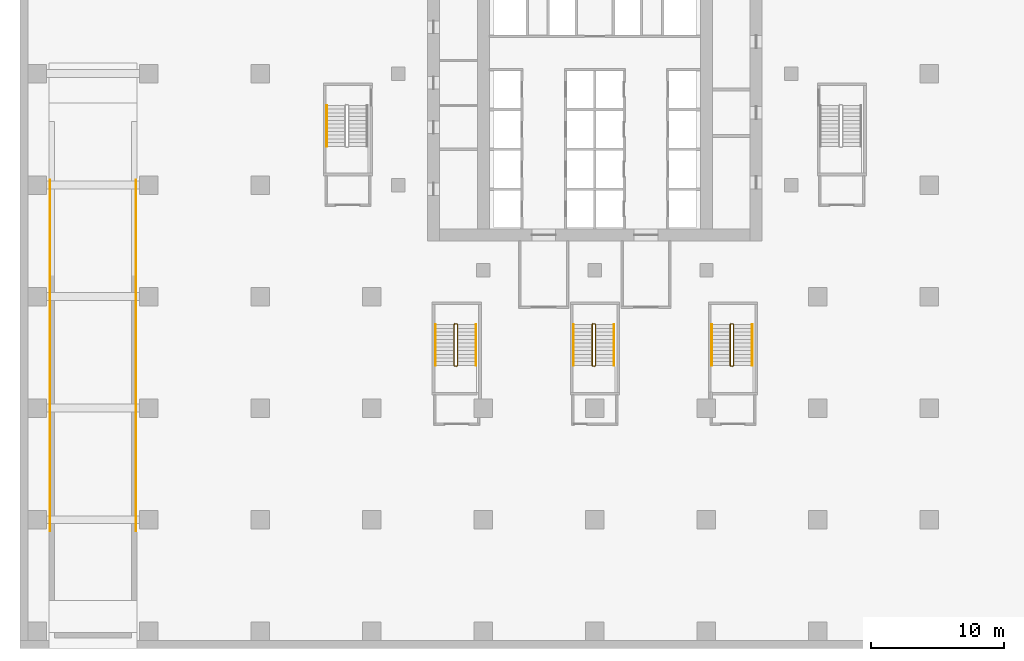
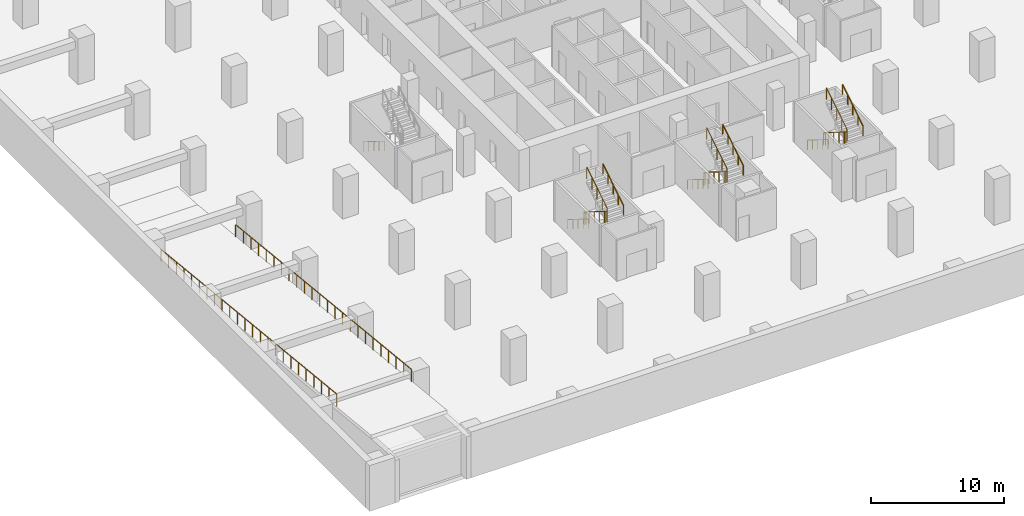
# One storey, part 13 of 17: 12 railings.
"""IFC4 building model written with IfcOpenShell, lengths in metres."""

import ifcopenshell
import ifcopenshell.guid

model = None  # the IFC model being written
_history = None  # IfcOwnerHistory: only IFC2X3 demands one
_inside = {}  # id of a spatial element -> (the spatial element, [elements in it])
_under = {}  # id of a project, library or spatial element -> (it, [spatial elements below it])
_declared = {}  # id of a project -> (the project, [libraries it declares])
_typed = {}  # id of a type object -> (the type object, [elements of that type])
_made_of = {}  # id of a material, layer set ... -> (it, [elements and type objects made of it])


def new_model(schema):
    """Start an empty IFC model of exactly this schema.

    Asked for "IFC4X3", IfcOpenShell would pick the latest addendum, in which some entities
    have other attributes; the version numbers below select the first issue.
    IFC2X3 requires an IfcOwnerHistory on every rooted entity: one is made here for all.
    """
    global model, _history
    if schema == "IFC4X3":
        model = ifcopenshell.file(schema_version=(4, 3, 0, 0))
    else:
        model = ifcopenshell.file(schema=schema)
    _inside.clear()
    _under.clear()
    _declared.clear()
    _typed.clear()
    _made_of.clear()
    _history = None
    if model.schema == "IFC2X3":
        org = make("IfcOrganization", Name="unknown")
        user = make(
            "IfcPersonAndOrganization",
            ThePerson=make("IfcPerson", FamilyName="unknown"),
            TheOrganization=org,
        )
        app = make(
            "IfcApplication",
            ApplicationDeveloper=org,
            Version="unknown",
            ApplicationFullName="unknown",
            ApplicationIdentifier="unknown",
        )
        _history = make(
            "IfcOwnerHistory",
            OwningUser=user,
            OwningApplication=app,
            ChangeAction="ADDED",
            CreationDate=0,
        )
    return model


def make(cls, **values):
    """One entity of the class cls with the attributes given. An attribute that is None is left unset."""
    return model.create_entity(
        cls, **{name: value for name, value in values.items() if value is not None}
    )


def rooted(cls, **values):
    """An entity with a GlobalId (a new one), such as an element, a storey or a relation."""
    return make(cls, GlobalId=ifcopenshell.guid.new(), OwnerHistory=_history, **values)


def si_unit(unit_type, name, prefix=None):
    """IfcSIUnit, for example si_unit("LENGTHUNIT", "METRE", prefix="MILLI")."""
    return make("IfcSIUnit", UnitType=unit_type, Prefix=prefix, Name=name)


def assignment(units):
    """IfcUnitAssignment: the units of a project."""
    return None if units is None else make("IfcUnitAssignment", Units=units)


def point(xyz):
    """IfcCartesianPoint."""
    return None if xyz is None else make("IfcCartesianPoint", Coordinates=xyz)


def direction(xyz):
    """IfcDirection."""
    return None if xyz is None else make("IfcDirection", DirectionRatios=xyz)


def frame(location, z_axis=None, x_axis=None):
    """IfcAxis2Placement3D, a coordinate frame: its origin and axes. An axis left out is left unset."""
    return make(
        "IfcAxis2Placement3D",
        Location=point(location),
        Axis=direction(z_axis),
        RefDirection=direction(x_axis),
    )


def frame_2d(location, x_axis=None):
    """IfcAxis2Placement2D, a coordinate frame in the plane: its origin and x axis."""
    return make(
        "IfcAxis2Placement2D", Location=point(location), RefDirection=direction(x_axis)
    )


def origin():
    """The frame at (0, 0, 0) with its axes left unset."""
    return frame((0.0, 0.0, 0.0))


def origin_2d():
    """The frame at (0, 0) in the plane with its x axis left unset."""
    return frame_2d((0.0, 0.0))


def place(relative_to, where):
    """IfcLocalPlacement: puts the frame where relative to a parent placement (None: the world)."""
    return make(
        "IfcLocalPlacement", PlacementRelTo=relative_to, RelativePlacement=where
    )


def context(
    kind, dimensions, precision=None, world=None, true_north=None, identifier=None
):
    """IfcGeometricRepresentationContext, for example the 3D "Model" context."""
    return make(
        "IfcGeometricRepresentationContext",
        ContextIdentifier=identifier,
        ContextType=kind,
        CoordinateSpaceDimension=dimensions,
        Precision=precision,
        WorldCoordinateSystem=world,
        TrueNorth=true_north,
    )


def subcontext(parent, identifier, kind, view, scale=None):
    """IfcGeometricRepresentationSubContext, for example "Body" below "Model"."""
    return make(
        "IfcGeometricRepresentationSubContext",
        ContextIdentifier=identifier,
        ContextType=kind,
        ParentContext=parent,
        TargetScale=scale,
        TargetView=view,
    )


def project(units=None, contexts=None):
    """IfcProject with its units and contexts."""
    return rooted(
        "IfcProject",
        Name="project",
        RepresentationContexts=contexts,
        UnitsInContext=assignment(units),
    )


def spatial(cls, under=None, at=None, **own):
    """A site, building, storey or space (cls), placed at a placement, below another one or the project."""
    s = rooted(cls, ObjectPlacement=at, **own)
    if under is not None:
        _under.setdefault(under.id(), (under, []))[1].append(s)
    return s


def profile(cls, at=None, kind="AREA", **sizes):
    """A parametric profile (cls). Its sizes go by their IFC names, for example OverallWidth=200.0."""
    return make(cls, ProfileType=kind, Position=at, **sizes)


def rectangle(**sizes):
    """IfcRectangleProfileDef."""
    return profile("IfcRectangleProfileDef", **sizes)


def extrude(swept, where, along, depth):
    """IfcExtrudedAreaSolid: the profile swept, set in the frame where, extruded along a direction by depth."""
    return make(
        "IfcExtrudedAreaSolid",
        SweptArea=swept,
        Position=where,
        ExtrudedDirection=direction(along),
        Depth=depth,
    )


def shape(context_of_items, identifier, shape_type, items):
    """IfcShapeRepresentation: the items that make up one representation, for example the "Body"."""
    return make(
        "IfcShapeRepresentation",
        ContextOfItems=context_of_items,
        RepresentationIdentifier=identifier,
        RepresentationType=shape_type,
        Items=items,
    )


def material(Name=None, Category=None):
    """IfcMaterial."""
    return make("IfcMaterial", Name=Name, Category=Category)


def made_of(thing, what):
    """Note that an element or type object is made of a material, layer set ...; save() writes the relation."""
    if what is not None:
        _made_of.setdefault(what.id(), (what, []))[1].append(thing)
    return thing


def type_object(cls, material=None, **own):
    """A type object (cls), such as IfcWallType, which elements share."""
    return made_of(rooted(cls, **own), material)


def element(
    cls,
    number,
    at=None,
    inside=None,
    cuts=None,
    type_object=None,
    material=None,
    context=None,
    identifier="Body",
    shape_type=None,
    held_by="IfcProductDefinitionShape",
    body=None,
    shapes=None,
    **own,
):
    """One element of the class cls, such as IfcWall. Its Tag is "e" and its number.

    at: its placement. inside: the storey or other place that contains it. cuts: it is an
    opening in that element (IfcRelVoidsElement). A single representation is given by context,
    identifier, shape_type and body (its items); several are given by shapes. held_by: the class
    of the entity that holds the representations. save() writes the other relations.
    """
    e = rooted(cls, Tag="e%d" % number, ObjectPlacement=at, **own)
    if body is not None:
        shapes = [shape(context, identifier, shape_type, body)]
    if shapes is not None:
        e.Representation = make(held_by, Representations=shapes)
    if inside is not None:
        _inside.setdefault(inside.id(), (inside, []))[1].append(e)
    if cuts is not None:
        rooted(
            "IfcRelVoidsElement", RelatingBuildingElement=cuts, RelatedOpeningElement=e
        )
    if type_object is not None:
        _typed.setdefault(type_object.id(), (type_object, []))[1].append(e)
    return made_of(e, material)


def aggregate(whole, parts):
    """IfcRelAggregates: a whole, such as a stair, and the parts it consists of."""
    return rooted("IfcRelAggregates", RelatingObject=whole, RelatedObjects=parts)


def save(model, path):
    """Write the relations noted so far, then the file.

    IfcRelAggregates (storeys below a building ...), IfcRelContainedInSpatialStructure (elements
    in a storey), IfcRelDefinesByType, IfcRelAssociatesMaterial and IfcRelDeclares: one each for
    every whole, place, type object, material and project.
    """
    for whole, parts in _under.values():
        aggregate(whole, parts)
    for where, things in _inside.values():
        rooted(
            "IfcRelContainedInSpatialStructure",
            RelatedElements=things,
            RelatingStructure=where,
        )
    for kind, things in _typed.values():
        rooted("IfcRelDefinesByType", RelatedObjects=things, RelatingType=kind)
    for what, things in _made_of.values():
        rooted("IfcRelAssociatesMaterial", RelatedObjects=things, RelatingMaterial=what)
    for by, libraries in _declared.values():
        rooted("IfcRelDeclares", RelatingContext=by, RelatedDefinitions=libraries)
    model.write(path)


model = new_model("IFC4")

# Units and contexts
model_context = context("Model", 3, precision=1e-05, world=origin(), true_north=direction((0.0, 1.0)))
body_context = subcontext(model_context, "Body", "Model", "MODEL_VIEW")
ifc_project = project(units=[si_unit("LENGTHUNIT", "METRE"), si_unit("AREAUNIT", "SQUARE_METRE"), si_unit("VOLUMEUNIT", "CUBIC_METRE"), si_unit("PLANEANGLEUNIT", "RADIAN"), si_unit("MASSUNIT", "GRAM", prefix="KILO")], contexts=[model_context])

# Site, building, storey
site_placement = place(None, origin())
site = spatial("IfcSite", under=ifc_project, at=site_placement, CompositionType="ELEMENT")
building_placement = place(site_placement, origin())
building = spatial("IfcBuilding", under=site, at=building_placement, Name="Vermilion Ogive Tower", CompositionType="ELEMENT")
storey_placement = place(building_placement, frame((0.0, 0.0, -4.199951171875)))
storey = spatial("IfcBuildingStorey", under=building, at=storey_placement, Name="B1", CompositionType="ELEMENT", Elevation=-4.199951171875)

# Railings
ifc_material_1 = material(Name="Stainless steel", Category="steel")
railing_type_1 = type_object("IfcRailingType", Name="Ramp guard RG1", PredefinedType="GUARDRAIL", material=ifc_material_1)
railing_1_placement = place(storey_placement, frame((-34.56005859375, -3.82861328125, 0.760009765625)))
element("IfcRailing", 1, at=railing_1_placement, inside=storey, type_object=railing_type_1, Name="Ramp guard RA L", PredefinedType="GUARDRAIL", context=body_context, shape_type="SweptSolid", body=[
    extrude(rectangle(XDim=0.050048828125, YDim=0.050048828125, at=origin_2d()), frame((0.0, 0.0, 1.125), z_axis=(0.0, -0.994665778685, 0.103150320953), x_axis=(1.0, 0.0, 0.0)), (0.0, 0.0, 1.0), 26.56298828125),
    extrude(rectangle(XDim=0.050048828125, YDim=0.050048828125, at=origin_2d()), origin(), (0.0, 0.0, 1.0), 1.099853515625),
    extrude(rectangle(XDim=0.050048828125, YDim=0.050048828125, at=origin_2d()), frame((0.0, -1.148681640625, 0.119140625)), (0.0, 0.0, 1.0), 1.099853515625),
    extrude(rectangle(XDim=0.050048828125, YDim=0.050048828125, at=origin_2d()), frame((0.0, -2.297607421875, 0.23828125)), (0.0, 0.0, 1.0), 1.099853515625),
    extrude(rectangle(XDim=0.050048828125, YDim=0.050048828125, at=origin_2d()), frame((0.0, -3.4462890625, 0.357421875)), (0.0, 0.0, 1.0), 1.099853515625),
    extrude(rectangle(XDim=0.050048828125, YDim=0.050048828125, at=origin_2d()), frame((0.0, -4.594970703125, 0.4765625)), (0.0, 0.0, 1.0), 1.099853515625),
    extrude(rectangle(XDim=0.050048828125, YDim=0.050048828125, at=origin_2d()), frame((0.0, -5.743896484375, 0.595703125)), (0.0, 0.0, 1.0), 1.099853515625),
    extrude(rectangle(XDim=0.050048828125, YDim=0.050048828125, at=origin_2d()), frame((0.0, -6.892578125, 0.71484375)), (0.0, 0.0, 1.0), 1.099853515625),
    extrude(rectangle(XDim=0.050048828125, YDim=0.050048828125, at=origin_2d()), frame((0.0, -8.041259765625, 0.833984375)), (0.0, 0.0, 1.0), 1.099853515625),
    extrude(rectangle(XDim=0.050048828125, YDim=0.050048828125, at=origin_2d()), frame((0.0, -9.18994140625, 0.953125)), (0.0, 0.0, 1.0), 1.099853515625),
    extrude(rectangle(XDim=0.050048828125, YDim=0.050048828125, at=origin_2d()), frame((0.0, -10.3388671875, 1.072265625)), (0.0, 0.0, 1.0), 1.099853515625),
    extrude(rectangle(XDim=0.050048828125, YDim=0.050048828125, at=origin_2d()), frame((0.0, -11.487548828125, 1.19140625)), (0.0, 0.0, 1.0), 1.099853515625),
    extrude(rectangle(XDim=0.050048828125, YDim=0.050048828125, at=origin_2d()), frame((0.0, -12.63623046875, 1.310546875)), (0.0, 0.0, 1.0), 1.099853515625),
    extrude(rectangle(XDim=0.050048828125, YDim=0.050048828125, at=origin_2d()), frame((0.0, -13.78515625, 1.429443359375)), (0.0, 0.0, 1.0), 1.099853515625),
    extrude(rectangle(XDim=0.050048828125, YDim=0.050048828125, at=origin_2d()), frame((0.0, -14.933837890625, 1.548583984375)), (0.0, 0.0, 1.0), 1.099853515625),
    extrude(rectangle(XDim=0.050048828125, YDim=0.050048828125, at=origin_2d()), frame((0.0, -16.08251953125, 1.667724609375)), (0.0, 0.0, 1.0), 1.099853515625),
    extrude(rectangle(XDim=0.050048828125, YDim=0.050048828125, at=origin_2d()), frame((0.0, -17.2314453125, 1.786865234375)), (0.0, 0.0, 1.0), 1.099853515625),
    extrude(rectangle(XDim=0.050048828125, YDim=0.050048828125, at=origin_2d()), frame((0.0, -18.380126953125, 1.906005859375)), (0.0, 0.0, 1.0), 1.099853515625),
    extrude(rectangle(XDim=0.050048828125, YDim=0.050048828125, at=origin_2d()), frame((0.0, -19.52880859375, 2.025146484375)), (0.0, 0.0, 1.0), 1.099853515625),
    extrude(rectangle(XDim=0.050048828125, YDim=0.050048828125, at=origin_2d()), frame((0.0, -20.677490234375, 2.144287109375)), (0.0, 0.0, 1.0), 1.099853515625),
    extrude(rectangle(XDim=0.050048828125, YDim=0.050048828125, at=origin_2d()), frame((0.0, -21.826416015625, 2.263427734375)), (0.0, 0.0, 1.0), 1.099853515625),
    extrude(rectangle(XDim=0.050048828125, YDim=0.050048828125, at=origin_2d()), frame((0.0, -22.97509765625, 2.382568359375)), (0.0, 0.0, 1.0), 1.099853515625),
    extrude(rectangle(XDim=0.050048828125, YDim=0.050048828125, at=origin_2d()), frame((0.0, -24.123779296875, 2.501708984375)), (0.0, 0.0, 1.0), 1.099853515625),
    extrude(rectangle(XDim=0.050048828125, YDim=0.050048828125, at=origin_2d()), frame((0.0, -25.272705078125, 2.620849609375)), (0.0, 0.0, 1.0), 1.099853515625),
    extrude(rectangle(XDim=0.050048828125, YDim=0.050048828125, at=origin_2d()), frame((0.0, -26.42138671875, 2.739990234375)), (0.0, 0.0, 1.0), 1.099853515625),
])
railing_2_placement = place(storey_placement, frame((-41.0400390625, -3.82861328125, 0.760009765625)))
element("IfcRailing", 2, at=railing_2_placement, inside=storey, type_object=railing_type_1, Name="Ramp guard RA R", PredefinedType="GUARDRAIL", context=body_context, shape_type="SweptSolid", body=[
    extrude(rectangle(XDim=0.050048828125, YDim=0.050048828125, at=origin_2d()), frame((0.0, 0.0, 1.125), z_axis=(0.0, -0.994665778685, 0.103150320953), x_axis=(1.0, 0.0, 0.0)), (0.0, 0.0, 1.0), 26.56298828125),
    extrude(rectangle(XDim=0.050048828125, YDim=0.050048828125, at=origin_2d()), origin(), (0.0, 0.0, 1.0), 1.099853515625),
    extrude(rectangle(XDim=0.050048828125, YDim=0.050048828125, at=origin_2d()), frame((0.0, -1.148681640625, 0.119140625)), (0.0, 0.0, 1.0), 1.099853515625),
    extrude(rectangle(XDim=0.050048828125, YDim=0.050048828125, at=origin_2d()), frame((0.0, -2.297607421875, 0.23828125)), (0.0, 0.0, 1.0), 1.099853515625),
    extrude(rectangle(XDim=0.050048828125, YDim=0.050048828125, at=origin_2d()), frame((0.0, -3.4462890625, 0.357421875)), (0.0, 0.0, 1.0), 1.099853515625),
    extrude(rectangle(XDim=0.050048828125, YDim=0.050048828125, at=origin_2d()), frame((0.0, -4.594970703125, 0.4765625)), (0.0, 0.0, 1.0), 1.099853515625),
    extrude(rectangle(XDim=0.050048828125, YDim=0.050048828125, at=origin_2d()), frame((0.0, -5.743896484375, 0.595703125)), (0.0, 0.0, 1.0), 1.099853515625),
    extrude(rectangle(XDim=0.050048828125, YDim=0.050048828125, at=origin_2d()), frame((0.0, -6.892578125, 0.71484375)), (0.0, 0.0, 1.0), 1.099853515625),
    extrude(rectangle(XDim=0.050048828125, YDim=0.050048828125, at=origin_2d()), frame((0.0, -8.041259765625, 0.833984375)), (0.0, 0.0, 1.0), 1.099853515625),
    extrude(rectangle(XDim=0.050048828125, YDim=0.050048828125, at=origin_2d()), frame((0.0, -9.18994140625, 0.953125)), (0.0, 0.0, 1.0), 1.099853515625),
    extrude(rectangle(XDim=0.050048828125, YDim=0.050048828125, at=origin_2d()), frame((0.0, -10.3388671875, 1.072265625)), (0.0, 0.0, 1.0), 1.099853515625),
    extrude(rectangle(XDim=0.050048828125, YDim=0.050048828125, at=origin_2d()), frame((0.0, -11.487548828125, 1.19140625)), (0.0, 0.0, 1.0), 1.099853515625),
    extrude(rectangle(XDim=0.050048828125, YDim=0.050048828125, at=origin_2d()), frame((0.0, -12.63623046875, 1.310546875)), (0.0, 0.0, 1.0), 1.099853515625),
    extrude(rectangle(XDim=0.050048828125, YDim=0.050048828125, at=origin_2d()), frame((0.0, -13.78515625, 1.429443359375)), (0.0, 0.0, 1.0), 1.099853515625),
    extrude(rectangle(XDim=0.050048828125, YDim=0.050048828125, at=origin_2d()), frame((0.0, -14.933837890625, 1.548583984375)), (0.0, 0.0, 1.0), 1.099853515625),
    extrude(rectangle(XDim=0.050048828125, YDim=0.050048828125, at=origin_2d()), frame((0.0, -16.08251953125, 1.667724609375)), (0.0, 0.0, 1.0), 1.099853515625),
    extrude(rectangle(XDim=0.050048828125, YDim=0.050048828125, at=origin_2d()), frame((0.0, -17.2314453125, 1.786865234375)), (0.0, 0.0, 1.0), 1.099853515625),
    extrude(rectangle(XDim=0.050048828125, YDim=0.050048828125, at=origin_2d()), frame((0.0, -18.380126953125, 1.906005859375)), (0.0, 0.0, 1.0), 1.099853515625),
    extrude(rectangle(XDim=0.050048828125, YDim=0.050048828125, at=origin_2d()), frame((0.0, -19.52880859375, 2.025146484375)), (0.0, 0.0, 1.0), 1.099853515625),
    extrude(rectangle(XDim=0.050048828125, YDim=0.050048828125, at=origin_2d()), frame((0.0, -20.677490234375, 2.144287109375)), (0.0, 0.0, 1.0), 1.099853515625),
    extrude(rectangle(XDim=0.050048828125, YDim=0.050048828125, at=origin_2d()), frame((0.0, -21.826416015625, 2.263427734375)), (0.0, 0.0, 1.0), 1.099853515625),
    extrude(rectangle(XDim=0.050048828125, YDim=0.050048828125, at=origin_2d()), frame((0.0, -22.97509765625, 2.382568359375)), (0.0, 0.0, 1.0), 1.099853515625),
    extrude(rectangle(XDim=0.050048828125, YDim=0.050048828125, at=origin_2d()), frame((0.0, -24.123779296875, 2.501708984375)), (0.0, 0.0, 1.0), 1.099853515625),
    extrude(rectangle(XDim=0.050048828125, YDim=0.050048828125, at=origin_2d()), frame((0.0, -25.272705078125, 2.620849609375)), (0.0, 0.0, 1.0), 1.099853515625),
    extrude(rectangle(XDim=0.050048828125, YDim=0.050048828125, at=origin_2d()), frame((0.0, -26.42138671875, 2.739990234375)), (0.0, 0.0, 1.0), 1.099853515625),
])
ifc_material_2 = material(Name="Steel S355 painted", Category="steel")
railing_type_2 = type_object("IfcRailingType", Name="Stair guard 1100", PredefinedType="GUARDRAIL", material=ifc_material_2)
railing_3_placement = place(storey_placement, frame((-10.39990234375, -14.64990234375, 0.0)))
element("IfcRailing", 3, at=railing_3_placement, inside=storey, type_object=railing_type_2, Name="B1 ST3 stair guard 4", PredefinedType="GUARDRAIL", context=body_context, shape_type="SweptSolid", body=[
    extrude(rectangle(XDim=0.048095703125, YDim=0.048095703125, at=origin_2d()), frame((0.0, 0.0, 1.076171875), z_axis=(-1.0, 0.0, 0.0), x_axis=(0.0, -1.0, 0.0)), (0.0, 0.0, 1.0), 0.150146484375),
    extrude(rectangle(XDim=0.048095703125, YDim=0.048095703125, at=origin_2d()), frame((-0.150146484375, 0.0, 1.076171875), z_axis=(-0.265065253269, -0.265065253269, 0.927081885822), x_axis=(0.707106781187, -0.707106781187, 0.0)), (0.0, 0.0, 1.0), 0.188720703125),
    extrude(rectangle(XDim=0.048095703125, YDim=0.048095703125, at=origin_2d()), frame((-0.2001953125, -0.050048828125, 1.2509765625), z_axis=(0.0, -0.848028513186, 0.529950602248), x_axis=(1.0, 0.0, 0.0)), (0.0, 0.0, 1.0), 3.632080078125),
    extrude(rectangle(XDim=0.048095703125, YDim=0.048095703125, at=origin_2d()), frame((-0.2001953125, -3.130126953125, 3.17578125), z_axis=(0.707106781187, -0.707106781187, 0.0), x_axis=(0.707106781187, 0.707106781187, 0.0)), (0.0, 0.0, 1.0), 0.07080078125),
    extrude(rectangle(XDim=0.048095703125, YDim=0.048095703125, at=origin_2d()), frame((-0.150146484375, -3.18017578125, 3.17578125), z_axis=(1.0, 0.0, 0.0), x_axis=(0.0, 1.0, 0.0)), (0.0, 0.0, 1.0), 0.150146484375),
    extrude(rectangle(XDim=0.048095703125, YDim=0.048095703125, at=origin_2d()), frame((0.0, -3.18017578125, 3.17578125), z_axis=(0.263862480399, 0.265155923931, 0.927399011991), x_axis=(-0.708833529934, 0.705375805398, 0.0)), (0.0, 0.0, 1.0), 0.188720703125),
    extrude(rectangle(XDim=0.048095703125, YDim=0.048095703125, at=origin_2d()), frame((0.0498046875, -3.130126953125, 3.35107421875), z_axis=(0.0, 0.847998304005, 0.529998940003), x_axis=(-1.0, 0.0, 0.0)), (0.0, 0.0, 1.0), 3.632080078125),
    extrude(rectangle(XDim=0.0419921875, YDim=0.0419921875, at=origin_2d()), origin(), (0.0, 0.0, 1.0), 1.052001953125),
    extrude(rectangle(XDim=0.0419921875, YDim=0.0419921875, at=origin_2d()), frame((-0.150146484375, 0.0, 0.0)), (0.0, 0.0, 1.0), 1.052001953125),
    extrude(rectangle(XDim=0.0419921875, YDim=0.0419921875, at=origin_2d()), frame((-0.2001953125, -0.050048828125, 0.175048828125)), (0.0, 0.0, 1.0), 1.052001953125),
    extrude(rectangle(XDim=0.0419921875, YDim=0.0419921875, at=origin_2d()), frame((-0.2001953125, -0.820068359375, 0.65625)), (0.0, 0.0, 1.0), 1.052001953125),
    extrude(rectangle(XDim=0.0419921875, YDim=0.0419921875, at=origin_2d()), frame((-0.2001953125, -1.590087890625, 1.137451171875)), (0.0, 0.0, 1.0), 1.052001953125),
    extrude(rectangle(XDim=0.0419921875, YDim=0.0419921875, at=origin_2d()), frame((-0.2001953125, -2.360107421875, 1.61865234375)), (0.0, 0.0, 1.0), 1.052001953125),
    extrude(rectangle(XDim=0.0419921875, YDim=0.0419921875, at=origin_2d()), frame((-0.2001953125, -3.130126953125, 2.099853515625)), (0.0, 0.0, 1.0), 1.052001953125),
    extrude(rectangle(XDim=0.0419921875, YDim=0.0419921875, at=origin_2d()), frame((-0.150146484375, -3.18017578125, 2.099853515625)), (0.0, 0.0, 1.0), 1.052001953125),
    extrude(rectangle(XDim=0.0419921875, YDim=0.0419921875, at=origin_2d()), frame((0.0, -3.18017578125, 2.099853515625)), (0.0, 0.0, 1.0), 1.052001953125),
    extrude(rectangle(XDim=0.0419921875, YDim=0.0419921875, at=origin_2d()), frame((0.0498046875, -3.130126953125, 2.27490234375)), (0.0, 0.0, 1.0), 1.052001953125),
    extrude(rectangle(XDim=0.0419921875, YDim=0.0419921875, at=origin_2d()), frame((0.0498046875, -2.360107421875, 2.756103515625)), (0.0, 0.0, 1.0), 1.052001953125),
    extrude(rectangle(XDim=0.0419921875, YDim=0.0419921875, at=origin_2d()), frame((0.0498046875, -1.590087890625, 3.2373046875)), (0.0, 0.0, 1.0), 1.052001953125),
    extrude(rectangle(XDim=0.0419921875, YDim=0.0419921875, at=origin_2d()), frame((0.0498046875, -0.820068359375, 3.71875)), (0.0, 0.0, 1.0), 1.052001953125),
    extrude(rectangle(XDim=0.0419921875, YDim=0.0419921875, at=origin_2d()), frame((0.0498046875, -0.050048828125, 4.199951171875)), (0.0, 0.0, 1.0), 1.052001953125),
])
railing_4_placement = place(storey_placement, frame((0.0, -14.64990234375, 0.0)))
element("IfcRailing", 4, at=railing_4_placement, inside=storey, type_object=railing_type_2, Name="B1 ST4 stair guard 4", PredefinedType="GUARDRAIL", context=body_context, shape_type="SweptSolid", body=[
    extrude(rectangle(XDim=0.048095703125, YDim=0.048095703125, at=origin_2d()), frame((0.0, 0.0, 1.076171875), z_axis=(-1.0, 0.0, 0.0), x_axis=(0.0, -1.0, 0.0)), (0.0, 0.0, 1.0), 0.14990234375),
    extrude(rectangle(XDim=0.048095703125, YDim=0.048095703125, at=origin_2d()), frame((-0.14990234375, 0.0, 1.076171875), z_axis=(-0.265065253269, -0.265065253269, 0.927081885822), x_axis=(0.707106781187, -0.707106781187, 0.0)), (0.0, 0.0, 1.0), 0.188720703125),
    extrude(rectangle(XDim=0.048095703125, YDim=0.048095703125, at=origin_2d()), frame((-0.199951171875, -0.050048828125, 1.2509765625), z_axis=(0.0, -0.848028513186, 0.529950602248), x_axis=(1.0, 0.0, 0.0)), (0.0, 0.0, 1.0), 3.632080078125),
    extrude(rectangle(XDim=0.048095703125, YDim=0.048095703125, at=origin_2d()), frame((-0.199951171875, -3.130126953125, 3.17578125), z_axis=(0.707106781187, -0.707106781187, 0.0), x_axis=(0.707106781187, 0.707106781187, 0.0)), (0.0, 0.0, 1.0), 0.07080078125),
    extrude(rectangle(XDim=0.048095703125, YDim=0.048095703125, at=origin_2d()), frame((-0.14990234375, -3.18017578125, 3.17578125), z_axis=(1.0, 0.0, 0.0), x_axis=(0.0, 1.0, 0.0)), (0.0, 0.0, 1.0), 0.14990234375),
    extrude(rectangle(XDim=0.048095703125, YDim=0.048095703125, at=origin_2d()), frame((0.0, -3.18017578125, 3.17578125), z_axis=(0.265065253269, 0.265065253269, 0.927081885822), x_axis=(-0.707106781187, 0.707106781187, 0.0)), (0.0, 0.0, 1.0), 0.188720703125),
    extrude(rectangle(XDim=0.048095703125, YDim=0.048095703125, at=origin_2d()), frame((0.050048828125, -3.130126953125, 3.35107421875), z_axis=(0.0, 0.847998304005, 0.529998940003), x_axis=(-1.0, 0.0, 0.0)), (0.0, 0.0, 1.0), 3.632080078125),
    extrude(rectangle(XDim=0.0419921875, YDim=0.0419921875, at=origin_2d()), origin(), (0.0, 0.0, 1.0), 1.052001953125),
    extrude(rectangle(XDim=0.0419921875, YDim=0.0419921875, at=origin_2d()), frame((-0.14990234375, 0.0, 0.0)), (0.0, 0.0, 1.0), 1.052001953125),
    extrude(rectangle(XDim=0.0419921875, YDim=0.0419921875, at=origin_2d()), frame((-0.199951171875, -0.050048828125, 0.175048828125)), (0.0, 0.0, 1.0), 1.052001953125),
    extrude(rectangle(XDim=0.0419921875, YDim=0.0419921875, at=origin_2d()), frame((-0.199951171875, -0.820068359375, 0.65625)), (0.0, 0.0, 1.0), 1.052001953125),
    extrude(rectangle(XDim=0.0419921875, YDim=0.0419921875, at=origin_2d()), frame((-0.199951171875, -1.590087890625, 1.137451171875)), (0.0, 0.0, 1.0), 1.052001953125),
    extrude(rectangle(XDim=0.0419921875, YDim=0.0419921875, at=origin_2d()), frame((-0.199951171875, -2.360107421875, 1.61865234375)), (0.0, 0.0, 1.0), 1.052001953125),
    extrude(rectangle(XDim=0.0419921875, YDim=0.0419921875, at=origin_2d()), frame((-0.199951171875, -3.130126953125, 2.099853515625)), (0.0, 0.0, 1.0), 1.052001953125),
    extrude(rectangle(XDim=0.0419921875, YDim=0.0419921875, at=origin_2d()), frame((-0.14990234375, -3.18017578125, 2.099853515625)), (0.0, 0.0, 1.0), 1.052001953125),
    extrude(rectangle(XDim=0.0419921875, YDim=0.0419921875, at=origin_2d()), frame((0.0, -3.18017578125, 2.099853515625)), (0.0, 0.0, 1.0), 1.052001953125),
    extrude(rectangle(XDim=0.0419921875, YDim=0.0419921875, at=origin_2d()), frame((0.050048828125, -3.130126953125, 2.27490234375)), (0.0, 0.0, 1.0), 1.052001953125),
    extrude(rectangle(XDim=0.0419921875, YDim=0.0419921875, at=origin_2d()), frame((0.050048828125, -2.360107421875, 2.756103515625)), (0.0, 0.0, 1.0), 1.052001953125),
    extrude(rectangle(XDim=0.0419921875, YDim=0.0419921875, at=origin_2d()), frame((0.050048828125, -1.590087890625, 3.2373046875)), (0.0, 0.0, 1.0), 1.052001953125),
    extrude(rectangle(XDim=0.0419921875, YDim=0.0419921875, at=origin_2d()), frame((0.050048828125, -0.820068359375, 3.71875)), (0.0, 0.0, 1.0), 1.052001953125),
    extrude(rectangle(XDim=0.0419921875, YDim=0.0419921875, at=origin_2d()), frame((0.050048828125, -0.050048828125, 4.199951171875)), (0.0, 0.0, 1.0), 1.052001953125),
])
railing_5_placement = place(storey_placement, frame((10.39990234375, -14.64990234375, 0.0)))
element("IfcRailing", 5, at=railing_5_placement, inside=storey, type_object=railing_type_2, Name="B1 ST5 stair guard 4", PredefinedType="GUARDRAIL", context=body_context, shape_type="SweptSolid", body=[
    extrude(rectangle(XDim=0.048095703125, YDim=0.048095703125, at=origin_2d()), frame((0.0, 0.0, 1.076171875), z_axis=(-1.0, 0.0, 0.0), x_axis=(0.0, -1.0, 0.0)), (0.0, 0.0, 1.0), 0.14990234375),
    extrude(rectangle(XDim=0.048095703125, YDim=0.048095703125, at=origin_2d()), frame((-0.14990234375, 0.0, 1.076171875), z_axis=(-0.265065253269, -0.265065253269, 0.927081885822), x_axis=(0.707106781187, -0.707106781187, 0.0)), (0.0, 0.0, 1.0), 0.188720703125),
    extrude(rectangle(XDim=0.048095703125, YDim=0.048095703125, at=origin_2d()), frame((-0.199951171875, -0.050048828125, 1.2509765625), z_axis=(0.0, -0.848028513186, 0.529950602248), x_axis=(1.0, 0.0, 0.0)), (0.0, 0.0, 1.0), 3.632080078125),
    extrude(rectangle(XDim=0.048095703125, YDim=0.048095703125, at=origin_2d()), frame((-0.199951171875, -3.130126953125, 3.17578125), z_axis=(0.707106781187, -0.707106781187, 0.0), x_axis=(0.707106781187, 0.707106781187, 0.0)), (0.0, 0.0, 1.0), 0.07080078125),
    extrude(rectangle(XDim=0.048095703125, YDim=0.048095703125, at=origin_2d()), frame((-0.14990234375, -3.18017578125, 3.17578125), z_axis=(1.0, 0.0, 0.0), x_axis=(0.0, 1.0, 0.0)), (0.0, 0.0, 1.0), 0.14990234375),
    extrude(rectangle(XDim=0.048095703125, YDim=0.048095703125, at=origin_2d()), frame((0.0, -3.18017578125, 3.17578125), z_axis=(0.265065253269, 0.265065253269, 0.927081885822), x_axis=(-0.707106781187, 0.707106781187, 0.0)), (0.0, 0.0, 1.0), 0.188720703125),
    extrude(rectangle(XDim=0.048095703125, YDim=0.048095703125, at=origin_2d()), frame((0.050048828125, -3.130126953125, 3.35107421875), z_axis=(0.0, 0.847998304005, 0.529998940003), x_axis=(-1.0, 0.0, 0.0)), (0.0, 0.0, 1.0), 3.632080078125),
    extrude(rectangle(XDim=0.0419921875, YDim=0.0419921875, at=origin_2d()), origin(), (0.0, 0.0, 1.0), 1.052001953125),
    extrude(rectangle(XDim=0.0419921875, YDim=0.0419921875, at=origin_2d()), frame((-0.14990234375, 0.0, 0.0)), (0.0, 0.0, 1.0), 1.052001953125),
    extrude(rectangle(XDim=0.0419921875, YDim=0.0419921875, at=origin_2d()), frame((-0.199951171875, -0.050048828125, 0.175048828125)), (0.0, 0.0, 1.0), 1.052001953125),
    extrude(rectangle(XDim=0.0419921875, YDim=0.0419921875, at=origin_2d()), frame((-0.199951171875, -0.820068359375, 0.65625)), (0.0, 0.0, 1.0), 1.052001953125),
    extrude(rectangle(XDim=0.0419921875, YDim=0.0419921875, at=origin_2d()), frame((-0.199951171875, -1.590087890625, 1.137451171875)), (0.0, 0.0, 1.0), 1.052001953125),
    extrude(rectangle(XDim=0.0419921875, YDim=0.0419921875, at=origin_2d()), frame((-0.199951171875, -2.360107421875, 1.61865234375)), (0.0, 0.0, 1.0), 1.052001953125),
    extrude(rectangle(XDim=0.0419921875, YDim=0.0419921875, at=origin_2d()), frame((-0.199951171875, -3.130126953125, 2.099853515625)), (0.0, 0.0, 1.0), 1.052001953125),
    extrude(rectangle(XDim=0.0419921875, YDim=0.0419921875, at=origin_2d()), frame((-0.14990234375, -3.18017578125, 2.099853515625)), (0.0, 0.0, 1.0), 1.052001953125),
    extrude(rectangle(XDim=0.0419921875, YDim=0.0419921875, at=origin_2d()), frame((0.0, -3.18017578125, 2.099853515625)), (0.0, 0.0, 1.0), 1.052001953125),
    extrude(rectangle(XDim=0.0419921875, YDim=0.0419921875, at=origin_2d()), frame((0.050048828125, -3.130126953125, 2.27490234375)), (0.0, 0.0, 1.0), 1.052001953125),
    extrude(rectangle(XDim=0.0419921875, YDim=0.0419921875, at=origin_2d()), frame((0.050048828125, -2.360107421875, 2.756103515625)), (0.0, 0.0, 1.0), 1.052001953125),
    extrude(rectangle(XDim=0.0419921875, YDim=0.0419921875, at=origin_2d()), frame((0.050048828125, -1.590087890625, 3.2373046875)), (0.0, 0.0, 1.0), 1.052001953125),
    extrude(rectangle(XDim=0.0419921875, YDim=0.0419921875, at=origin_2d()), frame((0.050048828125, -0.820068359375, 3.71875)), (0.0, 0.0, 1.0), 1.052001953125),
    extrude(rectangle(XDim=0.0419921875, YDim=0.0419921875, at=origin_2d()), frame((0.050048828125, -0.050048828125, 4.199951171875)), (0.0, 0.0, 1.0), 1.052001953125),
])
ifc_material_3 = material(Name="Stainless steel", Category="steel")
railing_type_3 = type_object("IfcRailingType", Name="Stair handrail 900", PredefinedType="HANDRAIL", material=ifc_material_3)
railing_6_placement = place(storey_placement, frame((-12.0, -14.699951171875, 0.175048828125)))
element("IfcRailing", 6, at=railing_6_placement, inside=storey, type_object=railing_type_3, Name="B1 ST3 stair handrail 1", PredefinedType="HANDRAIL", context=body_context, shape_type="SweptSolid", body=[
    extrude(rectangle(XDim=0.048095703125, YDim=0.048095703125, at=origin_2d()), frame((0.0, 0.0, 0.8759765625), z_axis=(0.0, -0.848028513186, 0.529950602248), x_axis=(1.0, 0.0, 0.0)), (0.0, 0.0, 1.0), 3.632080078125),
    extrude(rectangle(XDim=0.0419921875, YDim=0.0419921875, at=origin_2d()), origin(), (0.0, 0.0, 1.0), 0.851806640625),
    extrude(rectangle(XDim=0.0419921875, YDim=0.0419921875, at=origin_2d()), frame((0.0, -0.77001953125, 0.481201171875)), (0.0, 0.0, 1.0), 0.851806640625),
    extrude(rectangle(XDim=0.0419921875, YDim=0.0419921875, at=origin_2d()), frame((0.0, -1.5400390625, 0.96240234375)), (0.0, 0.0, 1.0), 0.851806640625),
    extrude(rectangle(XDim=0.0419921875, YDim=0.0419921875, at=origin_2d()), frame((0.0, -2.31005859375, 1.443603515625)), (0.0, 0.0, 1.0), 0.851806640625),
    extrude(rectangle(XDim=0.0419921875, YDim=0.0419921875, at=origin_2d()), frame((0.0, -3.080078125, 1.9248046875)), (0.0, 0.0, 1.0), 0.851806640625),
])
railing_7_placement = place(storey_placement, frame((-8.949951171875, -17.780029296875, 2.27490234375)))
element("IfcRailing", 7, at=railing_7_placement, inside=storey, type_object=railing_type_3, Name="B1 ST3 stair handrail 2", PredefinedType="HANDRAIL", context=body_context, shape_type="SweptSolid", body=[
    extrude(rectangle(XDim=0.048095703125, YDim=0.048095703125, at=origin_2d()), frame((0.0, 0.0, 0.8759765625), z_axis=(0.0, 0.847998304005, 0.529998940003), x_axis=(-1.0, 0.0, 0.0)), (0.0, 0.0, 1.0), 3.632080078125),
    extrude(rectangle(XDim=0.0419921875, YDim=0.0419921875, at=origin_2d()), origin(), (0.0, 0.0, 1.0), 0.851806640625),
    extrude(rectangle(XDim=0.0419921875, YDim=0.0419921875, at=origin_2d()), frame((0.0, 0.77001953125, 0.481201171875)), (0.0, 0.0, 1.0), 0.851806640625),
    extrude(rectangle(XDim=0.0419921875, YDim=0.0419921875, at=origin_2d()), frame((0.0, 1.5400390625, 0.96240234375)), (0.0, 0.0, 1.0), 0.851806640625),
    extrude(rectangle(XDim=0.0419921875, YDim=0.0419921875, at=origin_2d()), frame((0.0, 2.31005859375, 1.44384765625)), (0.0, 0.0, 1.0), 0.851806640625),
    extrude(rectangle(XDim=0.0419921875, YDim=0.0419921875, at=origin_2d()), frame((0.0, 3.080078125, 1.925048828125)), (0.0, 0.0, 1.0), 0.851806640625),
])
railing_8_placement = place(storey_placement, frame((-1.60009765625, -14.699951171875, 0.175048828125)))
element("IfcRailing", 8, at=railing_8_placement, inside=storey, type_object=railing_type_3, Name="B1 ST4 stair handrail 1", PredefinedType="HANDRAIL", context=body_context, shape_type="SweptSolid", body=[
    extrude(rectangle(XDim=0.048095703125, YDim=0.048095703125, at=origin_2d()), frame((0.0, 0.0, 0.8759765625), z_axis=(0.0, -0.848028513186, 0.529950602248), x_axis=(1.0, 0.0, 0.0)), (0.0, 0.0, 1.0), 3.632080078125),
    extrude(rectangle(XDim=0.0419921875, YDim=0.0419921875, at=origin_2d()), origin(), (0.0, 0.0, 1.0), 0.851806640625),
    extrude(rectangle(XDim=0.0419921875, YDim=0.0419921875, at=origin_2d()), frame((0.0, -0.77001953125, 0.481201171875)), (0.0, 0.0, 1.0), 0.851806640625),
    extrude(rectangle(XDim=0.0419921875, YDim=0.0419921875, at=origin_2d()), frame((0.0, -1.5400390625, 0.96240234375)), (0.0, 0.0, 1.0), 0.851806640625),
    extrude(rectangle(XDim=0.0419921875, YDim=0.0419921875, at=origin_2d()), frame((0.0, -2.31005859375, 1.443603515625)), (0.0, 0.0, 1.0), 0.851806640625),
    extrude(rectangle(XDim=0.0419921875, YDim=0.0419921875, at=origin_2d()), frame((0.0, -3.080078125, 1.9248046875)), (0.0, 0.0, 1.0), 0.851806640625),
])
railing_9_placement = place(storey_placement, frame((1.449951171875, -17.780029296875, 2.27490234375)))
element("IfcRailing", 9, at=railing_9_placement, inside=storey, type_object=railing_type_3, Name="B1 ST4 stair handrail 2", PredefinedType="HANDRAIL", context=body_context, shape_type="SweptSolid", body=[
    extrude(rectangle(XDim=0.048095703125, YDim=0.048095703125, at=origin_2d()), frame((0.0, 0.0, 0.8759765625), z_axis=(0.0, 0.847998304005, 0.529998940003), x_axis=(-1.0, 0.0, 0.0)), (0.0, 0.0, 1.0), 3.632080078125),
    extrude(rectangle(XDim=0.0419921875, YDim=0.0419921875, at=origin_2d()), origin(), (0.0, 0.0, 1.0), 0.851806640625),
    extrude(rectangle(XDim=0.0419921875, YDim=0.0419921875, at=origin_2d()), frame((0.0, 0.77001953125, 0.481201171875)), (0.0, 0.0, 1.0), 0.851806640625),
    extrude(rectangle(XDim=0.0419921875, YDim=0.0419921875, at=origin_2d()), frame((0.0, 1.5400390625, 0.96240234375)), (0.0, 0.0, 1.0), 0.851806640625),
    extrude(rectangle(XDim=0.0419921875, YDim=0.0419921875, at=origin_2d()), frame((0.0, 2.31005859375, 1.44384765625)), (0.0, 0.0, 1.0), 0.851806640625),
    extrude(rectangle(XDim=0.0419921875, YDim=0.0419921875, at=origin_2d()), frame((0.0, 3.080078125, 1.925048828125)), (0.0, 0.0, 1.0), 0.851806640625),
])
railing_10_placement = place(storey_placement, frame((8.800048828125, -14.699951171875, 0.175048828125)))
element("IfcRailing", 10, at=railing_10_placement, inside=storey, type_object=railing_type_3, Name="B1 ST5 stair handrail 1", PredefinedType="HANDRAIL", context=body_context, shape_type="SweptSolid", body=[
    extrude(rectangle(XDim=0.048095703125, YDim=0.048095703125, at=origin_2d()), frame((0.0, 0.0, 0.8759765625), z_axis=(0.0, -0.848028513186, 0.529950602248), x_axis=(1.0, 0.0, 0.0)), (0.0, 0.0, 1.0), 3.632080078125),
    extrude(rectangle(XDim=0.0419921875, YDim=0.0419921875, at=origin_2d()), origin(), (0.0, 0.0, 1.0), 0.851806640625),
    extrude(rectangle(XDim=0.0419921875, YDim=0.0419921875, at=origin_2d()), frame((0.0, -0.77001953125, 0.481201171875)), (0.0, 0.0, 1.0), 0.851806640625),
    extrude(rectangle(XDim=0.0419921875, YDim=0.0419921875, at=origin_2d()), frame((0.0, -1.5400390625, 0.96240234375)), (0.0, 0.0, 1.0), 0.851806640625),
    extrude(rectangle(XDim=0.0419921875, YDim=0.0419921875, at=origin_2d()), frame((0.0, -2.31005859375, 1.443603515625)), (0.0, 0.0, 1.0), 0.851806640625),
    extrude(rectangle(XDim=0.0419921875, YDim=0.0419921875, at=origin_2d()), frame((0.0, -3.080078125, 1.9248046875)), (0.0, 0.0, 1.0), 0.851806640625),
])
railing_11_placement = place(storey_placement, frame((11.85009765625, -17.780029296875, 2.27490234375)))
element("IfcRailing", 11, at=railing_11_placement, inside=storey, type_object=railing_type_3, Name="B1 ST5 stair handrail 2", PredefinedType="HANDRAIL", context=body_context, shape_type="SweptSolid", body=[
    extrude(rectangle(XDim=0.048095703125, YDim=0.048095703125, at=origin_2d()), frame((0.0, 0.0, 0.8759765625), z_axis=(0.0, 0.847998304005, 0.529998940003), x_axis=(-1.0, 0.0, 0.0)), (0.0, 0.0, 1.0), 3.632080078125),
    extrude(rectangle(XDim=0.0419921875, YDim=0.0419921875, at=origin_2d()), origin(), (0.0, 0.0, 1.0), 0.851806640625),
    extrude(rectangle(XDim=0.0419921875, YDim=0.0419921875, at=origin_2d()), frame((0.0, 0.77001953125, 0.481201171875)), (0.0, 0.0, 1.0), 0.851806640625),
    extrude(rectangle(XDim=0.0419921875, YDim=0.0419921875, at=origin_2d()), frame((0.0, 1.5400390625, 0.96240234375)), (0.0, 0.0, 1.0), 0.851806640625),
    extrude(rectangle(XDim=0.0419921875, YDim=0.0419921875, at=origin_2d()), frame((0.0, 2.31005859375, 1.44384765625)), (0.0, 0.0, 1.0), 0.851806640625),
    extrude(rectangle(XDim=0.0419921875, YDim=0.0419921875, at=origin_2d()), frame((0.0, 3.080078125, 1.925048828125)), (0.0, 0.0, 1.0), 0.851806640625),
])
railing_12_placement = place(storey_placement, frame((-20.199951171875, 1.800048828125, 0.175048828125)))
element("IfcRailing", 12, at=railing_12_placement, inside=storey, type_object=railing_type_3, Name="B1 ST9 stair handrail 1", PredefinedType="HANDRAIL", context=body_context, shape_type="SweptSolid", body=[
    extrude(rectangle(XDim=0.048095703125, YDim=0.048095703125, at=origin_2d()), frame((0.0, 0.0, 0.8759765625), z_axis=(0.0, -0.848028513186, 0.529950602248), x_axis=(1.0, 0.0, 0.0)), (0.0, 0.0, 1.0), 3.632080078125),
    extrude(rectangle(XDim=0.0419921875, YDim=0.0419921875, at=origin_2d()), origin(), (0.0, 0.0, 1.0), 0.851806640625),
    extrude(rectangle(XDim=0.0419921875, YDim=0.0419921875, at=origin_2d()), frame((0.0, -0.77001953125, 0.481201171875)), (0.0, 0.0, 1.0), 0.851806640625),
    extrude(rectangle(XDim=0.0419921875, YDim=0.0419921875, at=origin_2d()), frame((0.0, -1.5400390625, 0.96240234375)), (0.0, 0.0, 1.0), 0.851806640625),
    extrude(rectangle(XDim=0.0419921875, YDim=0.0419921875, at=origin_2d()), frame((0.0, -2.31005859375, 1.443603515625)), (0.0, 0.0, 1.0), 0.851806640625),
    extrude(rectangle(XDim=0.0419921875, YDim=0.0419921875, at=origin_2d()), frame((0.0, -3.080078125, 1.9248046875)), (0.0, 0.0, 1.0), 0.851806640625),
])

save(model, "model.ifc")
